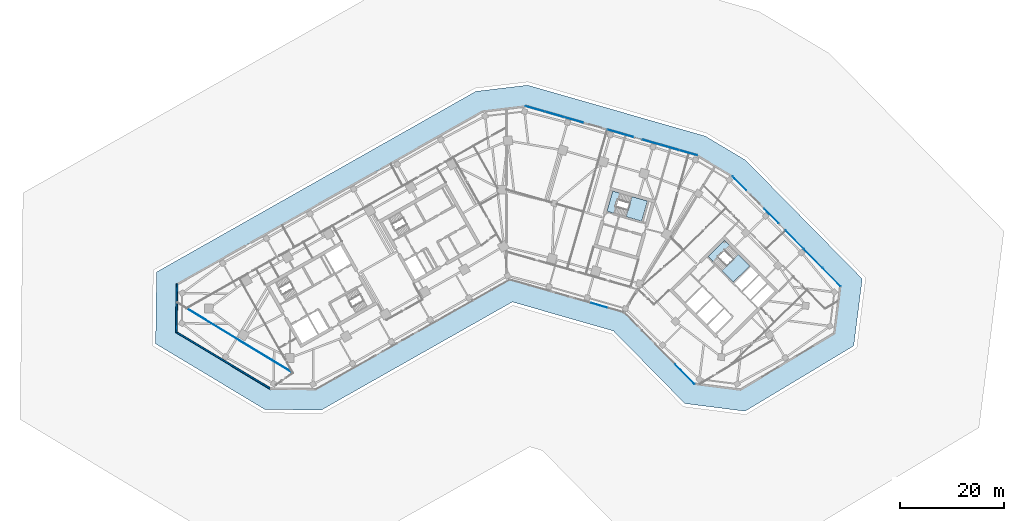
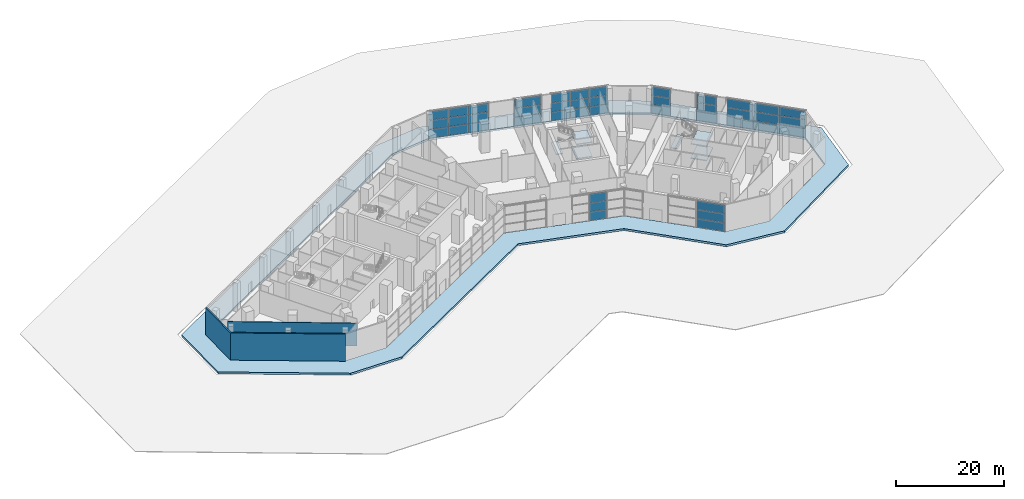
# One storey, part 11 of 22: 42 plates, 7 slabs, 3 walls, 10 elements without a shape of their own.
"""IFC4 building model written with IfcOpenShell, lengths in metres."""

import ifcopenshell
import ifcopenshell.guid

model = None  # the IFC model being written
_history = None  # IfcOwnerHistory: only IFC2X3 demands one
_inside = {}  # id of a spatial element -> (the spatial element, [elements in it])
_under = {}  # id of a project, library or spatial element -> (it, [spatial elements below it])
_declared = {}  # id of a project -> (the project, [libraries it declares])
_typed = {}  # id of a type object -> (the type object, [elements of that type])
_made_of = {}  # id of a material, layer set ... -> (it, [elements and type objects made of it])


def new_model(schema):
    """Start an empty IFC model of exactly this schema.

    Asked for "IFC4X3", IfcOpenShell would pick the latest addendum, in which some entities
    have other attributes; the version numbers below select the first issue.
    IFC2X3 requires an IfcOwnerHistory on every rooted entity: one is made here for all.
    """
    global model, _history
    if schema == "IFC4X3":
        model = ifcopenshell.file(schema_version=(4, 3, 0, 0))
    else:
        model = ifcopenshell.file(schema=schema)
    _inside.clear()
    _under.clear()
    _declared.clear()
    _typed.clear()
    _made_of.clear()
    _history = None
    if model.schema == "IFC2X3":
        org = make("IfcOrganization", Name="unknown")
        user = make(
            "IfcPersonAndOrganization",
            ThePerson=make("IfcPerson", FamilyName="unknown"),
            TheOrganization=org,
        )
        app = make(
            "IfcApplication",
            ApplicationDeveloper=org,
            Version="unknown",
            ApplicationFullName="unknown",
            ApplicationIdentifier="unknown",
        )
        _history = make(
            "IfcOwnerHistory",
            OwningUser=user,
            OwningApplication=app,
            ChangeAction="ADDED",
            CreationDate=0,
        )
    return model


def make(cls, **values):
    """One entity of the class cls with the attributes given. An attribute that is None is left unset."""
    return model.create_entity(
        cls, **{name: value for name, value in values.items() if value is not None}
    )


def rooted(cls, **values):
    """An entity with a GlobalId (a new one), such as an element, a storey or a relation."""
    return make(cls, GlobalId=ifcopenshell.guid.new(), OwnerHistory=_history, **values)


def si_unit(unit_type, name, prefix=None):
    """IfcSIUnit, for example si_unit("LENGTHUNIT", "METRE", prefix="MILLI")."""
    return make("IfcSIUnit", UnitType=unit_type, Prefix=prefix, Name=name)


def assignment(units):
    """IfcUnitAssignment: the units of a project."""
    return None if units is None else make("IfcUnitAssignment", Units=units)


def point(xyz):
    """IfcCartesianPoint."""
    return None if xyz is None else make("IfcCartesianPoint", Coordinates=xyz)


def direction(xyz):
    """IfcDirection."""
    return None if xyz is None else make("IfcDirection", DirectionRatios=xyz)


def frame(location, z_axis=None, x_axis=None):
    """IfcAxis2Placement3D, a coordinate frame: its origin and axes. An axis left out is left unset."""
    return make(
        "IfcAxis2Placement3D",
        Location=point(location),
        Axis=direction(z_axis),
        RefDirection=direction(x_axis),
    )


def frame_2d(location, x_axis=None):
    """IfcAxis2Placement2D, a coordinate frame in the plane: its origin and x axis."""
    return make(
        "IfcAxis2Placement2D", Location=point(location), RefDirection=direction(x_axis)
    )


def origin():
    """The frame at (0, 0, 0) with its axes left unset."""
    return frame((0.0, 0.0, 0.0))


def origin_2d():
    """The frame at (0, 0) in the plane with its x axis left unset."""
    return frame_2d((0.0, 0.0))


def place(relative_to, where):
    """IfcLocalPlacement: puts the frame where relative to a parent placement (None: the world)."""
    return make(
        "IfcLocalPlacement", PlacementRelTo=relative_to, RelativePlacement=where
    )


def context(
    kind, dimensions, precision=None, world=None, true_north=None, identifier=None
):
    """IfcGeometricRepresentationContext, for example the 3D "Model" context."""
    return make(
        "IfcGeometricRepresentationContext",
        ContextIdentifier=identifier,
        ContextType=kind,
        CoordinateSpaceDimension=dimensions,
        Precision=precision,
        WorldCoordinateSystem=world,
        TrueNorth=true_north,
    )


def subcontext(parent, identifier, kind, view, scale=None):
    """IfcGeometricRepresentationSubContext, for example "Body" below "Model"."""
    return make(
        "IfcGeometricRepresentationSubContext",
        ContextIdentifier=identifier,
        ContextType=kind,
        ParentContext=parent,
        TargetScale=scale,
        TargetView=view,
    )


def project(units=None, contexts=None):
    """IfcProject with its units and contexts."""
    return rooted(
        "IfcProject",
        Name="project",
        RepresentationContexts=contexts,
        UnitsInContext=assignment(units),
    )


def spatial(cls, under=None, at=None, **own):
    """A site, building, storey or space (cls), placed at a placement, below another one or the project."""
    s = rooted(cls, ObjectPlacement=at, **own)
    if under is not None:
        _under.setdefault(under.id(), (under, []))[1].append(s)
    return s


def polyline(points):
    """IfcPolyline through the points."""
    return make("IfcPolyline", Points=[point(p) for p in points])


def profile(cls, at=None, kind="AREA", **sizes):
    """A parametric profile (cls). Its sizes go by their IFC names, for example OverallWidth=200.0."""
    return make(cls, ProfileType=kind, Position=at, **sizes)


def rectangle(**sizes):
    """IfcRectangleProfileDef."""
    return profile("IfcRectangleProfileDef", **sizes)


def outline(outer, holes=None, kind="AREA"):
    """IfcArbitraryClosedProfileDef: a profile drawn as a closed curve; with holes, ...WithVoids."""
    if holes is None:
        return make("IfcArbitraryClosedProfileDef", ProfileType=kind, OuterCurve=outer)
    return make(
        "IfcArbitraryProfileDefWithVoids",
        ProfileType=kind,
        OuterCurve=outer,
        InnerCurves=holes,
    )


def extrude(swept, where, along, depth):
    """IfcExtrudedAreaSolid: the profile swept, set in the frame where, extruded along a direction by depth."""
    return make(
        "IfcExtrudedAreaSolid",
        SweptArea=swept,
        Position=where,
        ExtrudedDirection=direction(along),
        Depth=depth,
    )


def shape(context_of_items, identifier, shape_type, items):
    """IfcShapeRepresentation: the items that make up one representation, for example the "Body"."""
    return make(
        "IfcShapeRepresentation",
        ContextOfItems=context_of_items,
        RepresentationIdentifier=identifier,
        RepresentationType=shape_type,
        Items=items,
    )


def material(Name=None, Category=None):
    """IfcMaterial."""
    return make("IfcMaterial", Name=Name, Category=Category)


def layer(
    of_material, thickness, ventilated=None, Name=None, Category=None, Priority=None
):
    """IfcMaterialLayer: one layer of a wall or slab, of a material (None: an air gap)."""
    return make(
        "IfcMaterialLayer",
        Material=of_material,
        LayerThickness=thickness,
        IsVentilated=ventilated,
        Name=Name,
        Category=Category,
        Priority=Priority,
    )


def layer_set(layers, Name=None):
    """IfcMaterialLayerSet."""
    return make("IfcMaterialLayerSet", MaterialLayers=layers, LayerSetName=Name)


def made_of(thing, what):
    """Note that an element or type object is made of a material, layer set ...; save() writes the relation."""
    if what is not None:
        _made_of.setdefault(what.id(), (what, []))[1].append(thing)
    return thing


def type_object(cls, material=None, **own):
    """A type object (cls), such as IfcWallType, which elements share."""
    return made_of(rooted(cls, **own), material)


def element(
    cls,
    number,
    at=None,
    inside=None,
    cuts=None,
    type_object=None,
    material=None,
    context=None,
    identifier="Body",
    shape_type=None,
    held_by="IfcProductDefinitionShape",
    body=None,
    shapes=None,
    **own,
):
    """One element of the class cls, such as IfcWall. Its Tag is "e" and its number.

    at: its placement. inside: the storey or other place that contains it. cuts: it is an
    opening in that element (IfcRelVoidsElement). A single representation is given by context,
    identifier, shape_type and body (its items); several are given by shapes. held_by: the class
    of the entity that holds the representations. save() writes the other relations.
    """
    e = rooted(cls, Tag="e%d" % number, ObjectPlacement=at, **own)
    if body is not None:
        shapes = [shape(context, identifier, shape_type, body)]
    if shapes is not None:
        e.Representation = make(held_by, Representations=shapes)
    if inside is not None:
        _inside.setdefault(inside.id(), (inside, []))[1].append(e)
    if cuts is not None:
        rooted(
            "IfcRelVoidsElement", RelatingBuildingElement=cuts, RelatedOpeningElement=e
        )
    if type_object is not None:
        _typed.setdefault(type_object.id(), (type_object, []))[1].append(e)
    return made_of(e, material)


def aggregate(whole, parts):
    """IfcRelAggregates: a whole, such as a stair, and the parts it consists of."""
    return rooted("IfcRelAggregates", RelatingObject=whole, RelatedObjects=parts)


def save(model, path):
    """Write the relations noted so far, then the file.

    IfcRelAggregates (storeys below a building ...), IfcRelContainedInSpatialStructure (elements
    in a storey), IfcRelDefinesByType, IfcRelAssociatesMaterial and IfcRelDeclares: one each for
    every whole, place, type object, material and project.
    """
    for whole, parts in _under.values():
        aggregate(whole, parts)
    for where, things in _inside.values():
        rooted(
            "IfcRelContainedInSpatialStructure",
            RelatedElements=things,
            RelatingStructure=where,
        )
    for kind, things in _typed.values():
        rooted("IfcRelDefinesByType", RelatedObjects=things, RelatingType=kind)
    for what, things in _made_of.values():
        rooted("IfcRelAssociatesMaterial", RelatedObjects=things, RelatingMaterial=what)
    for by, libraries in _declared.values():
        rooted("IfcRelDeclares", RelatingContext=by, RelatedDefinitions=libraries)
    model.write(path)


model = new_model("IFC4")

# Units and contexts
model_context = context("Model", 3, precision=1e-05, world=origin(), true_north=direction((0.0, 1.0)))
body_context = subcontext(model_context, "Body", "Model", "MODEL_VIEW")
ifc_project = project(units=[si_unit("LENGTHUNIT", "METRE"), si_unit("AREAUNIT", "SQUARE_METRE"), si_unit("VOLUMEUNIT", "CUBIC_METRE"), si_unit("PLANEANGLEUNIT", "RADIAN"), si_unit("MASSUNIT", "GRAM", prefix="KILO")], contexts=[model_context])

# Site, building, storey
site_placement = place(None, origin())
site = spatial("IfcSite", under=ifc_project, at=site_placement, CompositionType="ELEMENT")
building_placement = place(site_placement, origin())
building = spatial("IfcBuilding", under=site, at=building_placement, Name="Binnacle Exchange Tower", CompositionType="ELEMENT")
storey_placement = place(building_placement, origin())
storey = spatial("IfcBuildingStorey", under=building, at=storey_placement, Name="L00", CompositionType="ELEMENT", Elevation=0.0)

# Curtain wall, plates
ifc_material_1 = material(Name="Bronze anodised aluminium frame", Category="aluminium")
curtain_wall_type_1 = type_object("IfcCurtainWallType", Name="External wall - curtain wall waterfront lobby", PredefinedType="NOTDEFINED", material=ifc_material_1)
curtain_wall_1_placement = place(storey_placement, origin())
curtain_wall_1 = element("IfcCurtainWall", 1, at=curtain_wall_1_placement, inside=storey, type_object=curtain_wall_type_1, Name="External wall curtain wall CW1-P07-2 L00", PredefinedType="NOTDEFINED")
ifc_material_2 = material(Name="Glass", Category="glass")
ifc_layer_1 = layer(ifc_material_2, 0.0439453125)
ifc_layer_set_1 = layer_set([ifc_layer_1], Name="CW1 GLASS PANEL 44")
plate_type_1 = type_object("IfcPlateType", Name="CW1 GLASS PANEL 44", PredefinedType="CURTAIN_PANEL", material=ifc_layer_set_1)
plate_1_placement = place(storey_placement, frame((17.929931640625, 37.6572265625, 0.06005859375), z_axis=(0.0, 0.0, 1.0), x_axis=(0.961261813326, -0.275636946437, 0.0)))
plate_1 = element("IfcPlate", 2, at=plate_1_placement, type_object=plate_type_1, Name="CW1-P07-2 panel 2.1", PredefinedType="CURTAIN_PANEL", context=body_context, shape_type="SweptSolid", body=[
    extrude(rectangle(XDim=3.2705078125, YDim=0.0439453125, at=origin_2d()), origin(), (0.0, 0.0, 1.0), 1.9599609375),
])
plate_2_placement = place(storey_placement, frame((17.929931640625, 37.6572265625, 2.080078125), z_axis=(0.0, 0.0, 1.0), x_axis=(0.961261813326, -0.275636946437, 0.0)))
plate_2 = element("IfcPlate", 3, at=plate_2_placement, type_object=plate_type_1, Name="CW1-P07-2 panel 2.2", PredefinedType="CURTAIN_PANEL", context=body_context, shape_type="SweptSolid", body=[
    extrude(rectangle(XDim=3.2705078125, YDim=0.0439453125, at=origin_2d()), origin(), (0.0, 0.0, 1.0), 1.989990234375),
])
plate_3_placement = place(storey_placement, frame((17.929931640625, 37.6572265625, 4.130126953125), z_axis=(0.0, 0.0, 1.0), x_axis=(0.961261813326, -0.275636946437, 0.0)))
plate_3 = element("IfcPlate", 4, at=plate_3_placement, type_object=plate_type_1, Name="CW1-P07-2 panel 2.3", PredefinedType="CURTAIN_PANEL", context=body_context, shape_type="SweptSolid", body=[
    extrude(rectangle(XDim=3.2705078125, YDim=0.0439453125, at=origin_2d()), origin(), (0.0, 0.0, 1.0), 1.9599609375),
])
aggregate(curtain_wall_1, [plate_1, plate_2, plate_3])

curtain_wall_2_placement = place(storey_placement, origin())
curtain_wall_2 = element("IfcCurtainWall", 5, at=curtain_wall_2_placement, inside=storey, type_object=curtain_wall_type_1, Name="External wall curtain wall CW1-P08-2 L00", PredefinedType="NOTDEFINED")
plate_4_placement = place(storey_placement, frame((34.4619140625, 24.387939453125, 0.06005859375), z_axis=(0.0, 0.0, 1.0), x_axis=(0.700909354378, -0.713250360635, 0.0)))
plate_4 = element("IfcPlate", 6, at=plate_4_placement, type_object=plate_type_1, Name="CW1-P08-2 panel 2.1", PredefinedType="CURTAIN_PANEL", context=body_context, shape_type="SweptSolid", body=[
    extrude(rectangle(XDim=5.365966796875, YDim=0.0439453125, at=origin_2d()), origin(), (0.0, 0.0, 1.0), 1.9599609375),
])
plate_5_placement = place(storey_placement, frame((34.4619140625, 24.387939453125, 2.080078125), z_axis=(0.0, 0.0, 1.0), x_axis=(0.700909354378, -0.713250360635, 0.0)))
plate_5 = element("IfcPlate", 7, at=plate_5_placement, type_object=plate_type_1, Name="CW1-P08-2 panel 2.2", PredefinedType="CURTAIN_PANEL", context=body_context, shape_type="SweptSolid", body=[
    extrude(rectangle(XDim=5.365966796875, YDim=0.0439453125, at=origin_2d()), origin(), (0.0, 0.0, 1.0), 1.989990234375),
])
plate_6_placement = place(storey_placement, frame((34.4619140625, 24.387939453125, 4.130126953125), z_axis=(0.0, 0.0, 1.0), x_axis=(0.700909354378, -0.713250360635, 0.0)))
plate_6 = element("IfcPlate", 8, at=plate_6_placement, type_object=plate_type_1, Name="CW1-P08-2 panel 2.3", PredefinedType="CURTAIN_PANEL", context=body_context, shape_type="SweptSolid", body=[
    extrude(rectangle(XDim=5.365966796875, YDim=0.0439453125, at=origin_2d()), origin(), (0.0, 0.0, 1.0), 1.9599609375),
])
aggregate(curtain_wall_2, [plate_4, plate_5, plate_6])

curtain_wall_type_2 = type_object("IfcCurtainWallType", Name="External wall - curtain wall north entrance", PredefinedType="NOTDEFINED", material=ifc_material_1)
curtain_wall_3_placement = place(storey_placement, origin())
curtain_wall_3 = element("IfcCurtainWall", 9, at=curtain_wall_3_placement, inside=storey, type_object=curtain_wall_type_2, Name="External wall curtain wall CW2-P00-1 L00", PredefinedType="NOTDEFINED")
ifc_layer_2 = layer(ifc_material_2, 0.0400390625)
ifc_layer_set_2 = layer_set([ifc_layer_2], Name="CW2 GLASS PANEL 40")
plate_type_2 = type_object("IfcPlateType", Name="CW2 GLASS PANEL 40", PredefinedType="CURTAIN_PANEL", material=ifc_layer_set_2)
plate_7_placement = place(storey_placement, frame((35.115234375, 67.13232421875, 0.06005859375), z_axis=(0.0, 0.0, 1.0), x_axis=(-0.961261813316, 0.275636946471, 0.0)))
plate_7 = element("IfcPlate", 10, at=plate_7_placement, type_object=plate_type_2, Name="CW2-P00-1 panel 1.1", PredefinedType="CURTAIN_PANEL", context=body_context, shape_type="SweptSolid", body=[
    extrude(rectangle(XDim=3.553466796875, YDim=0.0400390625, at=origin_2d()), origin(), (0.0, 0.0, 1.0), 1.9599609375),
])
plate_8_placement = place(storey_placement, frame((35.115234375, 67.13232421875, 2.080078125), z_axis=(0.0, 0.0, 1.0), x_axis=(-0.961261813316, 0.275636946471, 0.0)))
plate_8 = element("IfcPlate", 11, at=plate_8_placement, type_object=plate_type_2, Name="CW2-P00-1 panel 1.2", PredefinedType="CURTAIN_PANEL", context=body_context, shape_type="SweptSolid", body=[
    extrude(rectangle(XDim=3.553466796875, YDim=0.0400390625, at=origin_2d()), origin(), (0.0, 0.0, 1.0), 1.989990234375),
])
plate_9_placement = place(storey_placement, frame((35.115234375, 67.13232421875, 4.130126953125), z_axis=(0.0, 0.0, 1.0), x_axis=(-0.961261813316, 0.275636946471, 0.0)))
plate_9 = element("IfcPlate", 12, at=plate_9_placement, type_object=plate_type_2, Name="CW2-P00-1 panel 1.3", PredefinedType="CURTAIN_PANEL", context=body_context, shape_type="SweptSolid", body=[
    extrude(rectangle(XDim=3.553466796875, YDim=0.0400390625, at=origin_2d()), origin(), (0.0, 0.0, 1.0), 1.9599609375),
])
plate_10_placement = place(storey_placement, frame((31.603271484375, 68.139404296875, 0.06005859375), z_axis=(0.0, 0.0, 1.0), x_axis=(-0.961261813316, 0.275636946471, 0.0)))
plate_10 = element("IfcPlate", 13, at=plate_10_placement, type_object=plate_type_2, Name="CW2-P00-1 panel 2.1", PredefinedType="CURTAIN_PANEL", context=body_context, shape_type="SweptSolid", body=[
    extrude(rectangle(XDim=3.593505859375, YDim=0.0400390625, at=origin_2d()), origin(), (0.0, 0.0, 1.0), 1.9599609375),
])
plate_11_placement = place(storey_placement, frame((31.603271484375, 68.139404296875, 2.080078125), z_axis=(0.0, 0.0, 1.0), x_axis=(-0.961261813316, 0.275636946471, 0.0)))
plate_11 = element("IfcPlate", 14, at=plate_11_placement, type_object=plate_type_2, Name="CW2-P00-1 panel 2.2", PredefinedType="CURTAIN_PANEL", context=body_context, shape_type="SweptSolid", body=[
    extrude(rectangle(XDim=3.593505859375, YDim=0.0400390625, at=origin_2d()), origin(), (0.0, 0.0, 1.0), 1.989990234375),
])
plate_12_placement = place(storey_placement, frame((31.603271484375, 68.139404296875, 4.130126953125), z_axis=(0.0, 0.0, 1.0), x_axis=(-0.961261813316, 0.275636946471, 0.0)))
plate_12 = element("IfcPlate", 15, at=plate_12_placement, type_object=plate_type_2, Name="CW2-P00-1 panel 2.3", PredefinedType="CURTAIN_PANEL", context=body_context, shape_type="SweptSolid", body=[
    extrude(rectangle(XDim=3.593505859375, YDim=0.0400390625, at=origin_2d()), origin(), (0.0, 0.0, 1.0), 1.9599609375),
])
plate_13_placement = place(storey_placement, frame((28.09130859375, 69.146484375, 0.06005859375), z_axis=(0.0, 0.0, 1.0), x_axis=(-0.961261813316, 0.275636946471, 0.0)))
plate_13 = element("IfcPlate", 16, at=plate_13_placement, type_object=plate_type_2, Name="CW2-P00-1 panel 3.1", PredefinedType="CURTAIN_PANEL", context=body_context, shape_type="SweptSolid", body=[
    extrude(rectangle(XDim=3.553466796875, YDim=0.0400390625, at=origin_2d()), origin(), (0.0, 0.0, 1.0), 1.9599609375),
])
plate_14_placement = place(storey_placement, frame((28.09130859375, 69.146484375, 2.080078125), z_axis=(0.0, 0.0, 1.0), x_axis=(-0.961261813316, 0.275636946471, 0.0)))
plate_14 = element("IfcPlate", 17, at=plate_14_placement, type_object=plate_type_2, Name="CW2-P00-1 panel 3.2", PredefinedType="CURTAIN_PANEL", context=body_context, shape_type="SweptSolid", body=[
    extrude(rectangle(XDim=3.553466796875, YDim=0.0400390625, at=origin_2d()), origin(), (0.0, 0.0, 1.0), 1.989990234375),
])
plate_15_placement = place(storey_placement, frame((28.09130859375, 69.146484375, 4.130126953125), z_axis=(0.0, 0.0, 1.0), x_axis=(-0.961261813316, 0.275636946471, 0.0)))
plate_15 = element("IfcPlate", 18, at=plate_15_placement, type_object=plate_type_2, Name="CW2-P00-1 panel 3.3", PredefinedType="CURTAIN_PANEL", context=body_context, shape_type="SweptSolid", body=[
    extrude(rectangle(XDim=3.553466796875, YDim=0.0400390625, at=origin_2d()), origin(), (0.0, 0.0, 1.0), 1.9599609375),
])
aggregate(curtain_wall_3, [plate_7, plate_8, plate_9, plate_10, plate_11, plate_12, plate_13, plate_14, plate_15])

curtain_wall_4_placement = place(storey_placement, origin())
curtain_wall_4 = element("IfcCurtainWall", 19, at=curtain_wall_4_placement, inside=storey, type_object=curtain_wall_type_2, Name="External wall curtain wall CW2-P00-2 L00", PredefinedType="NOTDEFINED")
plate_16_placement = place(storey_placement, frame((22.035400390625, 70.8828125, 0.06005859375), z_axis=(0.0, 0.0, 1.0), x_axis=(-0.961261813345, 0.27563694637, 0.0)))
plate_16 = element("IfcPlate", 20, at=plate_16_placement, type_object=plate_type_2, Name="CW2-P00-2 panel 1.1", PredefinedType="CURTAIN_PANEL", context=body_context, shape_type="SweptSolid", body=[
    extrude(rectangle(XDim=5.126220703125, YDim=0.0400390625, at=origin_2d()), origin(), (0.0, 0.0, 1.0), 1.9599609375),
])
plate_17_placement = place(storey_placement, frame((22.035400390625, 70.8828125, 2.080078125), z_axis=(0.0, 0.0, 1.0), x_axis=(-0.961261813345, 0.27563694637, 0.0)))
plate_17 = element("IfcPlate", 21, at=plate_17_placement, type_object=plate_type_2, Name="CW2-P00-2 panel 1.2", PredefinedType="CURTAIN_PANEL", context=body_context, shape_type="SweptSolid", body=[
    extrude(rectangle(XDim=5.126220703125, YDim=0.0400390625, at=origin_2d()), origin(), (0.0, 0.0, 1.0), 1.989990234375),
])
plate_18_placement = place(storey_placement, frame((22.035400390625, 70.8828125, 4.130126953125), z_axis=(0.0, 0.0, 1.0), x_axis=(-0.961261813345, 0.27563694637, 0.0)))
plate_18 = element("IfcPlate", 22, at=plate_18_placement, type_object=plate_type_2, Name="CW2-P00-2 panel 1.3", PredefinedType="CURTAIN_PANEL", context=body_context, shape_type="SweptSolid", body=[
    extrude(rectangle(XDim=5.126220703125, YDim=0.0400390625, at=origin_2d()), origin(), (0.0, 0.0, 1.0), 1.9599609375),
])
aggregate(curtain_wall_4, [plate_16, plate_17, plate_18])

curtain_wall_5_placement = place(storey_placement, origin())
curtain_wall_5 = element("IfcCurtainWall", 23, at=curtain_wall_5_placement, inside=storey, type_object=curtain_wall_type_2, Name="External wall curtain wall CW2-P00-3 L00", PredefinedType="NOTDEFINED")
plate_19_placement = place(storey_placement, frame((12.996337890625, 73.474853515625, 0.06005859375), z_axis=(0.0, 0.0, 1.0), x_axis=(-0.961261813307, 0.275636946504, 0.0)))
plate_19 = element("IfcPlate", 24, at=plate_19_placement, type_object=plate_type_2, Name="CW2-P00-3 panel 1.1", PredefinedType="CURTAIN_PANEL", context=body_context, shape_type="SweptSolid", body=[
    extrude(rectangle(XDim=3.7607421875, YDim=0.0400390625, at=origin_2d()), origin(), (0.0, 0.0, 1.0), 1.9599609375),
])
plate_20_placement = place(storey_placement, frame((12.996337890625, 73.474853515625, 2.080078125), z_axis=(0.0, 0.0, 1.0), x_axis=(-0.961261813307, 0.275636946504, 0.0)))
plate_20 = element("IfcPlate", 25, at=plate_20_placement, type_object=plate_type_2, Name="CW2-P00-3 panel 1.2", PredefinedType="CURTAIN_PANEL", context=body_context, shape_type="SweptSolid", body=[
    extrude(rectangle(XDim=3.7607421875, YDim=0.0400390625, at=origin_2d()), origin(), (0.0, 0.0, 1.0), 1.989990234375),
])
plate_21_placement = place(storey_placement, frame((12.996337890625, 73.474853515625, 4.130126953125), z_axis=(0.0, 0.0, 1.0), x_axis=(-0.961261813307, 0.275636946504, 0.0)))
plate_21 = element("IfcPlate", 26, at=plate_21_placement, type_object=plate_type_2, Name="CW2-P00-3 panel 1.3", PredefinedType="CURTAIN_PANEL", context=body_context, shape_type="SweptSolid", body=[
    extrude(rectangle(XDim=3.7607421875, YDim=0.0400390625, at=origin_2d()), origin(), (0.0, 0.0, 1.0), 1.9599609375),
])
plate_22_placement = place(storey_placement, frame((9.284912109375, 74.5390625, 0.06005859375), z_axis=(0.0, 0.0, 1.0), x_axis=(-0.961261813307, 0.275636946504, 0.0)))
plate_22 = element("IfcPlate", 27, at=plate_22_placement, type_object=plate_type_2, Name="CW2-P00-3 panel 2.1", PredefinedType="CURTAIN_PANEL", context=body_context, shape_type="SweptSolid", body=[
    extrude(rectangle(XDim=3.80078125, YDim=0.0400390625, at=origin_2d()), origin(), (0.0, 0.0, 1.0), 1.9599609375),
])
plate_23_placement = place(storey_placement, frame((9.284912109375, 74.5390625, 2.080078125), z_axis=(0.0, 0.0, 1.0), x_axis=(-0.961261813307, 0.275636946504, 0.0)))
plate_23 = element("IfcPlate", 28, at=plate_23_placement, type_object=plate_type_2, Name="CW2-P00-3 panel 2.2", PredefinedType="CURTAIN_PANEL", context=body_context, shape_type="SweptSolid", body=[
    extrude(rectangle(XDim=3.80078125, YDim=0.0400390625, at=origin_2d()), origin(), (0.0, 0.0, 1.0), 1.989990234375),
])
plate_24_placement = place(storey_placement, frame((9.284912109375, 74.5390625, 4.130126953125), z_axis=(0.0, 0.0, 1.0), x_axis=(-0.961261813307, 0.275636946504, 0.0)))
plate_24 = element("IfcPlate", 29, at=plate_24_placement, type_object=plate_type_2, Name="CW2-P00-3 panel 2.3", PredefinedType="CURTAIN_PANEL", context=body_context, shape_type="SweptSolid", body=[
    extrude(rectangle(XDim=3.80078125, YDim=0.0400390625, at=origin_2d()), origin(), (0.0, 0.0, 1.0), 1.9599609375),
])
plate_25_placement = place(storey_placement, frame((5.57373046875, 75.603271484375, 0.06005859375), z_axis=(0.0, 0.0, 1.0), x_axis=(-0.961261813307, 0.275636946504, 0.0)))
plate_25 = element("IfcPlate", 30, at=plate_25_placement, type_object=plate_type_2, Name="CW2-P00-3 panel 3.1", PredefinedType="CURTAIN_PANEL", context=body_context, shape_type="SweptSolid", body=[
    extrude(rectangle(XDim=3.7607421875, YDim=0.0400390625, at=origin_2d()), origin(), (0.0, 0.0, 1.0), 1.9599609375),
])
plate_26_placement = place(storey_placement, frame((5.57373046875, 75.603271484375, 2.080078125), z_axis=(0.0, 0.0, 1.0), x_axis=(-0.961261813307, 0.275636946504, 0.0)))
plate_26 = element("IfcPlate", 31, at=plate_26_placement, type_object=plate_type_2, Name="CW2-P00-3 panel 3.2", PredefinedType="CURTAIN_PANEL", context=body_context, shape_type="SweptSolid", body=[
    extrude(rectangle(XDim=3.7607421875, YDim=0.0400390625, at=origin_2d()), origin(), (0.0, 0.0, 1.0), 1.989990234375),
])
plate_27_placement = place(storey_placement, frame((5.57373046875, 75.603271484375, 4.130126953125), z_axis=(0.0, 0.0, 1.0), x_axis=(-0.961261813307, 0.275636946504, 0.0)))
plate_27 = element("IfcPlate", 32, at=plate_27_placement, type_object=plate_type_2, Name="CW2-P00-3 panel 3.3", PredefinedType="CURTAIN_PANEL", context=body_context, shape_type="SweptSolid", body=[
    extrude(rectangle(XDim=3.7607421875, YDim=0.0400390625, at=origin_2d()), origin(), (0.0, 0.0, 1.0), 1.9599609375),
])
aggregate(curtain_wall_5, [plate_19, plate_20, plate_21, plate_22, plate_23, plate_24, plate_25, plate_26, plate_27])

curtain_wall_6_placement = place(storey_placement, origin())
curtain_wall_6 = element("IfcCurtainWall", 33, at=curtain_wall_6_placement, inside=storey, type_object=curtain_wall_type_2, Name="External wall curtain wall CW2-P12-1 L00", PredefinedType="NOTDEFINED")
plate_28_placement = place(storey_placement, frame((62.79541015625, 43.117919921875, 0.06005859375), z_axis=(0.0, 0.0, 1.0), x_axis=(-0.70090935439, 0.713250360623, 0.0)))
plate_28 = element("IfcPlate", 34, at=plate_28_placement, type_object=plate_type_2, Name="CW2-P12-1 panel 1.1", PredefinedType="CURTAIN_PANEL", context=body_context, shape_type="SweptSolid", body=[
    extrude(rectangle(XDim=4.97119140625, YDim=0.0400390625, at=origin_2d()), origin(), (0.0, 0.0, 1.0), 1.9599609375),
])
plate_29_placement = place(storey_placement, frame((62.79541015625, 43.117919921875, 2.080078125), z_axis=(0.0, 0.0, 1.0), x_axis=(-0.70090935439, 0.713250360623, 0.0)))
plate_29 = element("IfcPlate", 35, at=plate_29_placement, type_object=plate_type_2, Name="CW2-P12-1 panel 1.2", PredefinedType="CURTAIN_PANEL", context=body_context, shape_type="SweptSolid", body=[
    extrude(rectangle(XDim=4.97119140625, YDim=0.0400390625, at=origin_2d()), origin(), (0.0, 0.0, 1.0), 1.989990234375),
])
plate_30_placement = place(storey_placement, frame((62.79541015625, 43.117919921875, 4.130126953125), z_axis=(0.0, 0.0, 1.0), x_axis=(-0.70090935439, 0.713250360623, 0.0)))
plate_30 = element("IfcPlate", 36, at=plate_30_placement, type_object=plate_type_2, Name="CW2-P12-1 panel 1.3", PredefinedType="CURTAIN_PANEL", context=body_context, shape_type="SweptSolid", body=[
    extrude(rectangle(XDim=4.97119140625, YDim=0.0400390625, at=origin_2d()), origin(), (0.0, 0.0, 1.0), 1.9599609375),
])
plate_31_placement = place(storey_placement, frame((59.240966796875, 46.73486328125, 0.06005859375), z_axis=(0.0, 0.0, 1.0), x_axis=(-0.70090935439, 0.713250360623, 0.0)))
plate_31 = element("IfcPlate", 37, at=plate_31_placement, type_object=plate_type_2, Name="CW2-P12-1 panel 2.1", PredefinedType="CURTAIN_PANEL", context=body_context, shape_type="SweptSolid", body=[
    extrude(rectangle(XDim=5.01123046875, YDim=0.0400390625, at=origin_2d()), origin(), (0.0, 0.0, 1.0), 1.9599609375),
])
plate_32_placement = place(storey_placement, frame((59.240966796875, 46.73486328125, 2.080078125), z_axis=(0.0, 0.0, 1.0), x_axis=(-0.70090935439, 0.713250360623, 0.0)))
plate_32 = element("IfcPlate", 38, at=plate_32_placement, type_object=plate_type_2, Name="CW2-P12-1 panel 2.2", PredefinedType="CURTAIN_PANEL", context=body_context, shape_type="SweptSolid", body=[
    extrude(rectangle(XDim=5.01123046875, YDim=0.0400390625, at=origin_2d()), origin(), (0.0, 0.0, 1.0), 1.989990234375),
])
plate_33_placement = place(storey_placement, frame((59.240966796875, 46.73486328125, 4.130126953125), z_axis=(0.0, 0.0, 1.0), x_axis=(-0.70090935439, 0.713250360623, 0.0)))
plate_33 = element("IfcPlate", 39, at=plate_33_placement, type_object=plate_type_2, Name="CW2-P12-1 panel 2.3", PredefinedType="CURTAIN_PANEL", context=body_context, shape_type="SweptSolid", body=[
    extrude(rectangle(XDim=5.01123046875, YDim=0.0400390625, at=origin_2d()), origin(), (0.0, 0.0, 1.0), 1.9599609375),
])
plate_34_placement = place(storey_placement, frame((55.6865234375, 50.35205078125, 0.06005859375), z_axis=(0.0, 0.0, 1.0), x_axis=(-0.70090935439, 0.713250360623, 0.0)))
plate_34 = element("IfcPlate", 40, at=plate_34_placement, type_object=plate_type_2, Name="CW2-P12-1 panel 3.1", PredefinedType="CURTAIN_PANEL", context=body_context, shape_type="SweptSolid", body=[
    extrude(rectangle(XDim=4.97119140625, YDim=0.0400390625, at=origin_2d()), origin(), (0.0, 0.0, 1.0), 1.9599609375),
])
plate_35_placement = place(storey_placement, frame((55.6865234375, 50.35205078125, 2.080078125), z_axis=(0.0, 0.0, 1.0), x_axis=(-0.70090935439, 0.713250360623, 0.0)))
plate_35 = element("IfcPlate", 41, at=plate_35_placement, type_object=plate_type_2, Name="CW2-P12-1 panel 3.2", PredefinedType="CURTAIN_PANEL", context=body_context, shape_type="SweptSolid", body=[
    extrude(rectangle(XDim=4.97119140625, YDim=0.0400390625, at=origin_2d()), origin(), (0.0, 0.0, 1.0), 1.989990234375),
])
plate_36_placement = place(storey_placement, frame((55.6865234375, 50.35205078125, 4.130126953125), z_axis=(0.0, 0.0, 1.0), x_axis=(-0.70090935439, 0.713250360623, 0.0)))
plate_36 = element("IfcPlate", 42, at=plate_36_placement, type_object=plate_type_2, Name="CW2-P12-1 panel 3.3", PredefinedType="CURTAIN_PANEL", context=body_context, shape_type="SweptSolid", body=[
    extrude(rectangle(XDim=4.97119140625, YDim=0.0400390625, at=origin_2d()), origin(), (0.0, 0.0, 1.0), 1.9599609375),
])
aggregate(curtain_wall_6, [plate_28, plate_29, plate_30, plate_31, plate_32, plate_33, plate_34, plate_35, plate_36])

curtain_wall_7_placement = place(storey_placement, origin())
curtain_wall_7 = element("IfcCurtainWall", 43, at=curtain_wall_7_placement, inside=storey, type_object=curtain_wall_type_2, Name="External wall curtain wall CW2-P12-2 L00", PredefinedType="NOTDEFINED")
plate_37_placement = place(storey_placement, frame((51.181884765625, 54.935791015625, 0.06005859375), z_axis=(0.0, 0.0, 1.0), x_axis=(-0.700909354403, 0.71325036061, 0.0)))
plate_37 = element("IfcPlate", 44, at=plate_37_placement, type_object=plate_type_2, Name="CW2-P12-2 panel 1.1", PredefinedType="CURTAIN_PANEL", context=body_context, shape_type="SweptSolid", body=[
    extrude(rectangle(XDim=3.962158203125, YDim=0.0400390625, at=origin_2d()), origin(), (0.0, 0.0, 1.0), 1.9599609375),
])
plate_38_placement = place(storey_placement, frame((51.181884765625, 54.935791015625, 2.080078125), z_axis=(0.0, 0.0, 1.0), x_axis=(-0.700909354403, 0.71325036061, 0.0)))
plate_38 = element("IfcPlate", 45, at=plate_38_placement, type_object=plate_type_2, Name="CW2-P12-2 panel 1.2", PredefinedType="CURTAIN_PANEL", context=body_context, shape_type="SweptSolid", body=[
    extrude(rectangle(XDim=3.962158203125, YDim=0.0400390625, at=origin_2d()), origin(), (0.0, 0.0, 1.0), 1.989990234375),
])
plate_39_placement = place(storey_placement, frame((51.181884765625, 54.935791015625, 4.130126953125), z_axis=(0.0, 0.0, 1.0), x_axis=(-0.700909354403, 0.71325036061, 0.0)))
plate_39 = element("IfcPlate", 46, at=plate_39_placement, type_object=plate_type_2, Name="CW2-P12-2 panel 1.3", PredefinedType="CURTAIN_PANEL", context=body_context, shape_type="SweptSolid", body=[
    extrude(rectangle(XDim=3.962158203125, YDim=0.0400390625, at=origin_2d()), origin(), (0.0, 0.0, 1.0), 1.9599609375),
])
aggregate(curtain_wall_7, [plate_37, plate_38, plate_39])

curtain_wall_8_placement = place(storey_placement, origin())
curtain_wall_8 = element("IfcCurtainWall", 47, at=curtain_wall_8_placement, inside=storey, type_object=curtain_wall_type_2, Name="External wall curtain wall CW2-P12-3 L00", PredefinedType="NOTDEFINED")
plate_40_placement = place(storey_placement, frame((45.00634765625, 61.22021484375, 0.06005859375), z_axis=(0.0, 0.0, 1.0), x_axis=(-0.70090935439, 0.713250360623, 0.0)))
plate_40 = element("IfcPlate", 48, at=plate_40_placement, type_object=plate_type_2, Name="CW2-P12-3 panel 1.1", PredefinedType="CURTAIN_PANEL", context=body_context, shape_type="SweptSolid", body=[
    extrude(rectangle(XDim=3.739501953125, YDim=0.0400390625, at=origin_2d()), origin(), (0.0, 0.0, 1.0), 1.9599609375),
])
plate_41_placement = place(storey_placement, frame((45.00634765625, 61.22021484375, 2.080078125), z_axis=(0.0, 0.0, 1.0), x_axis=(-0.70090935439, 0.713250360623, 0.0)))
plate_41 = element("IfcPlate", 49, at=plate_41_placement, type_object=plate_type_2, Name="CW2-P12-3 panel 1.2", PredefinedType="CURTAIN_PANEL", context=body_context, shape_type="SweptSolid", body=[
    extrude(rectangle(XDim=3.739501953125, YDim=0.0400390625, at=origin_2d()), origin(), (0.0, 0.0, 1.0), 1.989990234375),
])
plate_42_placement = place(storey_placement, frame((45.00634765625, 61.22021484375, 4.130126953125), z_axis=(0.0, 0.0, 1.0), x_axis=(-0.70090935439, 0.713250360623, 0.0)))
plate_42 = element("IfcPlate", 50, at=plate_42_placement, type_object=plate_type_2, Name="CW2-P12-3 panel 1.3", PredefinedType="CURTAIN_PANEL", context=body_context, shape_type="SweptSolid", body=[
    extrude(rectangle(XDim=3.739501953125, YDim=0.0400390625, at=origin_2d()), origin(), (0.0, 0.0, 1.0), 1.9599609375),
])
aggregate(curtain_wall_8, [plate_40, plate_41, plate_42])

# Slab
ifc_material_3 = material(Name="Concrete C35/45", Category="concrete")
ifc_layer_3 = layer(ifc_material_3, 0.449951171875)
ifc_layer_set_3 = layer_set([ifc_layer_3], Name="Plaza deck slab 450 Concrete C35/45")
slab_type_1 = type_object("IfcSlabType", Name="Plaza deck slab 450 Concrete C35/45", PredefinedType="FLOOR", material=ifc_layer_set_3)
slab_1_placement = place(storey_placement, frame((0.0, 0.0, -0.449951171875)))
element("IfcSlab", 51, at=slab_1_placement, inside=storey, type_object=slab_type_1, Name="Plaza deck slab", PredefinedType="FLOOR", context=body_context, shape_type="SweptSolid", body=[
    extrude(outline(polyline([(68.74169921875, 42.773681640625), (67.093017578125, 29.81396484375), (46.104248046875, 17.20263671875), (34.458984375, 18.68408203125), (20.677734375, 32.7080078125), (1.147216796875, 38.308349609375), (-35.783203125, 17.414306640625), (-46.6943359375, 17.55712890625), (-67.782958984375, 30.228515625), (-67.601318359375, 44.093505859375), (-5.902099609375, 79.001220703125), (4.104736328125, 80.185791015625), (38.390380859375, 70.3544921875), (46.210205078125, 65.7021484375), (68.74169921875, 42.773681640625)]), holes=[polyline([(36.7900390625, 66.652099609375), (3.775634765625, 76.118896484375), (-4.6328125, 75.12353515625), (-63.6318359375, 41.74365234375), (-63.753173828125, 32.4736328125), (-45.560791015625, 21.54248046875), (-36.81201171875, 21.427978515625), (0.63720703125, 42.61572265625), (22.79248046875, 36.2626953125), (36.33984375, 22.47705078125), (45.233154296875, 21.345703125), (63.369873046875, 32.243408203125), (64.52880859375, 41.35400390625), (43.719970703125, 62.529296875), (36.7900390625, 66.652099609375)])]), origin(), (0.0, 0.0, 1.0), 0.449951171875),
])

# Stair, slabs
stair_type = type_object("IfcStairType", Name="STAIR 40 RISERS 162", PredefinedType="HALF_TURN_STAIR", material=ifc_material_3)
stair_1_placement = place(storey_placement, origin())
stair_1 = element("IfcStair", 52, at=stair_1_placement, inside=storey, type_object=stair_type, Name="L00 Escape stair B1", PredefinedType="HALF_TURN_STAIR")
ifc_layer_4 = layer(ifc_material_3, 0.199951171875)
ifc_layer_set_4 = layer_set([ifc_layer_4], Name="STAIR LANDING 200")
slab_type_2 = type_object("IfcSlabType", Name="STAIR LANDING 200", PredefinedType="LANDING", material=ifc_layer_set_4)
slab_2_placement = place(storey_placement, frame((0.0, 0.0, 1.425048828125)))
slab_2 = element("IfcSlab", 53, at=slab_2_placement, type_object=slab_type_2, Name="STB1 landing 1", PredefinedType="LANDING", context=body_context, shape_type="SweptSolid", body=[
    extrude(outline(polyline([(41.647705078125, 44.3525390625), (43.8203125, 42.141357421875), (46.994384765625, 45.260498046875), (44.821533203125, 47.471435546875), (41.647705078125, 44.3525390625)])), origin(), (0.0, 0.0, 1.0), 0.199951171875),
])
slab_3_placement = place(storey_placement, frame((0.0, 0.0, 3.050048828125)))
slab_3 = element("IfcSlab", 54, at=slab_3_placement, type_object=slab_type_2, Name="STB1 landing 2", PredefinedType="LANDING", context=body_context, shape_type="SweptSolid", body=[
    extrude(outline(polyline([(38.94921875, 47.098388671875), (39.909423828125, 46.121337890625), (43.083251953125, 49.240478515625), (42.123046875, 50.217529296875), (38.94921875, 47.098388671875)])), origin(), (0.0, 0.0, 1.0), 0.199951171875),
])
slab_4_placement = place(storey_placement, frame((0.0, 0.0, 4.675048828125)))
slab_4 = element("IfcSlab", 55, at=slab_4_placement, type_object=slab_type_2, Name="STB1 landing 3", PredefinedType="LANDING", context=body_context, shape_type="SweptSolid", body=[
    extrude(outline(polyline([(41.647705078125, 44.3525390625), (43.8203125, 42.141357421875), (46.994384765625, 45.260498046875), (44.821533203125, 47.471435546875), (41.647705078125, 44.3525390625)])), origin(), (0.0, 0.0, 1.0), 0.199951171875),
])
aggregate(stair_1, [slab_2, slab_3, slab_4])

stair_2_placement = place(storey_placement, origin())
stair_2 = element("IfcStair", 56, at=stair_2_placement, inside=storey, type_object=stair_type, Name="L00 Escape stair D1", PredefinedType="HALF_TURN_STAIR")
slab_5_placement = place(storey_placement, frame((0.0, 0.0, 1.425048828125)))
slab_5 = element("IfcSlab", 57, at=slab_5_placement, type_object=slab_type_2, Name="STD1 landing 1", PredefinedType="LANDING", context=body_context, shape_type="SweptSolid", body=[
    extrude(outline(polyline([(23.13134765625, 54.771484375), (26.111328125, 53.917236328125), (27.227783203125, 57.810302734375), (24.247802734375, 58.664794921875), (23.13134765625, 54.771484375)])), origin(), (0.0, 0.0, 1.0), 0.199951171875),
])
slab_6_placement = place(storey_placement, frame((0.0, 0.0, 3.050048828125)))
slab_6 = element("IfcSlab", 58, at=slab_6_placement, type_object=slab_type_2, Name="STD1 landing 2", PredefinedType="LANDING", context=body_context, shape_type="SweptSolid", body=[
    extrude(outline(polyline([(19.4306640625, 55.832763671875), (20.74755859375, 55.455078125), (21.86376953125, 59.348388671875), (20.546875, 59.725830078125), (19.4306640625, 55.832763671875)])), origin(), (0.0, 0.0, 1.0), 0.199951171875),
])
slab_7_placement = place(storey_placement, frame((0.0, 0.0, 4.675048828125)))
slab_7 = element("IfcSlab", 59, at=slab_7_placement, type_object=slab_type_2, Name="STD1 landing 3", PredefinedType="LANDING", context=body_context, shape_type="SweptSolid", body=[
    extrude(outline(polyline([(23.13134765625, 54.771484375), (26.111328125, 53.917236328125), (27.227783203125, 57.810302734375), (24.247802734375, 58.664794921875), (23.13134765625, 54.771484375)])), origin(), (0.0, 0.0, 1.0), 0.199951171875),
])
aggregate(stair_2, [slab_5, slab_6, slab_7])

# Walls
ifc_material_4 = material(Name="Bronze aluminium louvre", Category="aluminium")
ifc_layer_5 = layer(ifc_material_4, 0.300048828125)
ifc_layer_set_5 = layer_set([ifc_layer_5], Name="External wall - podium louvre 300")
wall_type_1 = type_object("IfcWallType", Name="External wall - podium louvre 300", PredefinedType="STANDARD", material=ifc_layer_set_5)
wall_1_placement = place(storey_placement, frame((-63.754150390625, 32.387451171875, 0.0), z_axis=(0.0, 0.0, 1.0), x_axis=(0.013081929375, 0.999914427901, 0.0)))
element("IfcWall", 60, at=wall_1_placement, inside=storey, type_object=wall_type_1, Name="External wall EW-P03 L00", PredefinedType="STANDARD", context=body_context, shape_type="SweptSolid", body=[
    extrude(rectangle(XDim=9.443115234375, YDim=0.300048828125, at=frame_2d((4.7216796875, 0.0))), origin(), (0.0, 0.0, 1.0), 6.14990234375),
])
wall_2_placement = place(storey_placement, frame((-45.526123046875, 21.521728515625, 0.0), z_axis=(0.0, 0.0, 1.0), x_axis=(-0.857164837164, 0.515042174903, 0.0)))
element("IfcWall", 61, at=wall_2_placement, inside=storey, type_object=wall_type_1, Name="External wall EW-P04 L00", PredefinedType="STANDARD", context=body_context, shape_type="SweptSolid", body=[
    extrude(rectangle(XDim=21.350341796875, YDim=0.300048828125, at=frame_2d((10.67529296875, 0.0))), origin(), (0.0, 0.0, 1.0), 6.14990234375),
])
ifc_material_5 = material(Name="Gypsum partition")
ifc_layer_6 = layer(ifc_material_5, 0.125)
ifc_layer_set_6 = layer_set([ifc_layer_6], Name="Partition 125")
wall_type_2 = type_object("IfcWallType", Name="Partition 125", PredefinedType="PARTITIONING", material=ifc_layer_set_6)
wall_3_placement = place(storey_placement, frame((-61.822998046875, 37.0869140625, 0.0), z_axis=(0.0, 0.0, 1.0), x_axis=(0.854710834679, -0.519104410579, 0.0)))
element("IfcWall", 62, at=wall_3_placement, inside=storey, type_object=wall_type_2, Name="Partition W03", PredefinedType="PARTITIONING", context=body_context, shape_type="SweptSolid", body=[
    extrude(rectangle(XDim=24.064453125, YDim=0.125, at=frame_2d((12.0322265625, 0.0))), origin(), (0.0, 0.0, 1.0), 5.2119140625),
])

save(model, "model.ifc")
